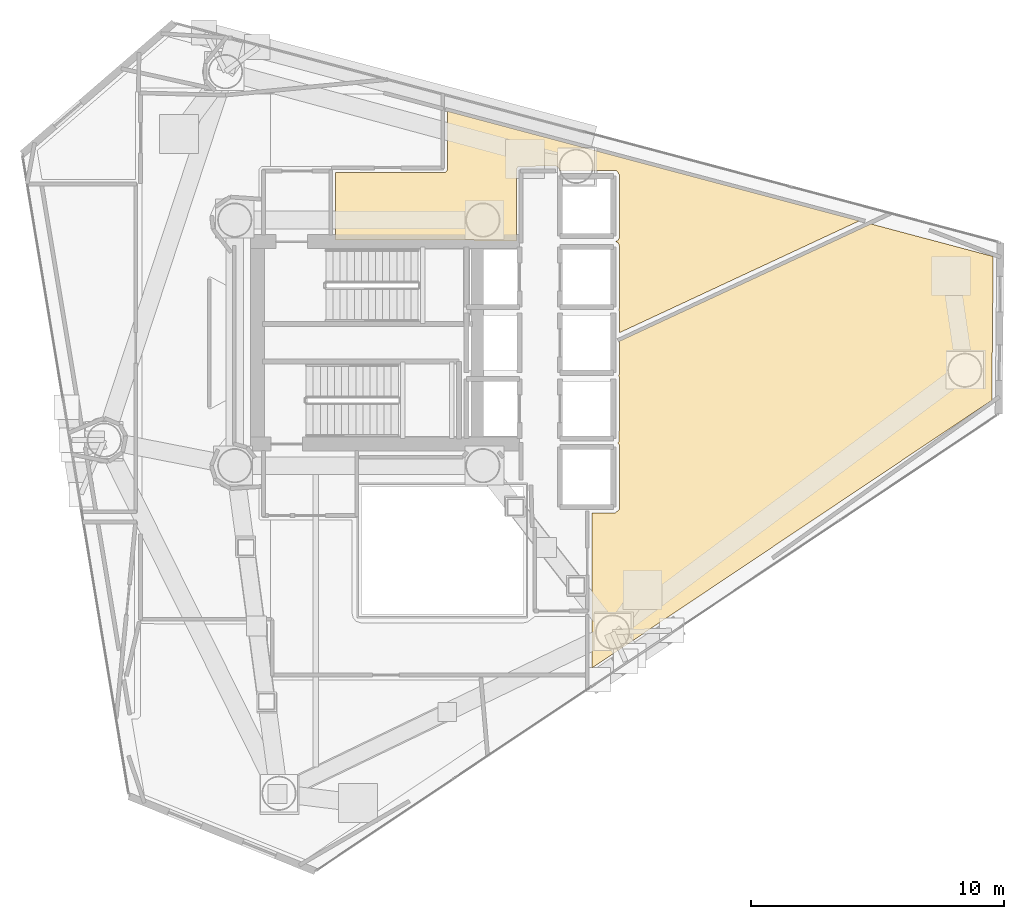
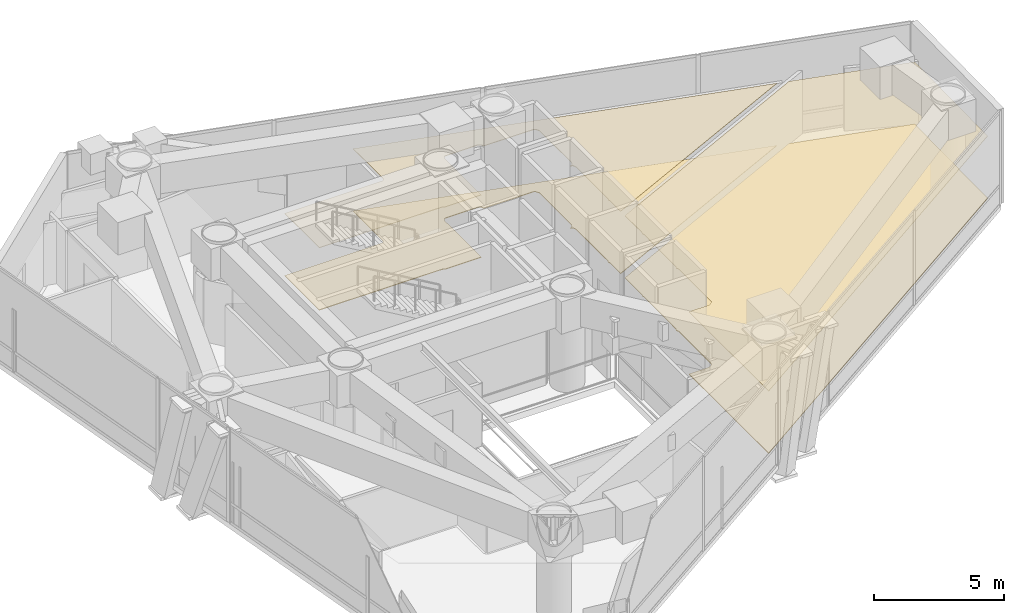
# One storey, part 22 of 22: 4 coverings.
"""IFC4 building model written with IfcOpenShell, lengths in metres."""

from ifc_helpers import new_model, si_unit, direction, frame, origin, place, context, subcontext, project, spatial, polyline, outline, extrude, material, layer, layer_set, type_object, element, save


model = new_model("IFC4")

# Units and contexts
model_context = context("Model", 3, precision=1e-05, world=origin(), true_north=direction((0.0, 1.0)))
body_context = subcontext(model_context, "Body", "Model", "MODEL_VIEW")
ifc_project = project(units=[si_unit("LENGTHUNIT", "METRE"), si_unit("AREAUNIT", "SQUARE_METRE"), si_unit("VOLUMEUNIT", "CUBIC_METRE"), si_unit("PLANEANGLEUNIT", "RADIAN"), si_unit("MASSUNIT", "GRAM", prefix="KILO")], contexts=[model_context])

# Site, building, storey
site_placement = place(None, origin())
site = spatial("IfcSite", under=ifc_project, at=site_placement, CompositionType="ELEMENT")
building_placement = place(site_placement, origin())
building = spatial("IfcBuilding", under=site, at=building_placement, Name="Qianvela Tower", CompositionType="ELEMENT")
storey_placement = place(building_placement, frame((0.0, 0.0, 184.60009765625)))
storey = spatial("IfcBuildingStorey", under=building, at=storey_placement, Name="L47", CompositionType="ELEMENT", Elevation=184.60009765625)

# Coverings
ifc_material_1 = material(Name="Perforated Mineral Acoustic Ceiling Tile")
ifc_layer_1 = layer(ifc_material_1, 0.02490234375)
ifc_layer_set_1 = layer_set([ifc_layer_1], Name="Perforated Mineral Acoustic Ceiling Tile")
covering_type_1 = type_object("IfcCoveringType", Name="COV-CEIL-ACOUSTIC-25", PredefinedType="CEILING", material=ifc_layer_set_1)
covering_1_placement = place(storey_placement, frame((0.0, 0.0, 2.914794921875)))
element("IfcCovering", 1, at=covering_1_placement, inside=storey, type_object=covering_type_1, Name="L47 Acoustic Ceiling L47 Electrical Transformer and Switch Room", PredefinedType="CEILING", context=body_context, shape_type="SweptSolid", body=[
    extrude(outline(polyline([(42.709228515625, 21.97998046875), (43.59375, 21.980712890625), (43.602294921875, 21.981201171875), (43.610595703125, 21.982421875), (43.618896484375, 21.984619140625), (43.626708984375, 21.98779296875), (43.63427734375, 21.99169921875), (43.641357421875, 21.996337890625), (43.757080078125, 22.082275390625), (43.763427734375, 22.08740234375), (43.769287109375, 22.09326171875), (43.7744140625, 22.099853515625), (43.77880859375, 22.106689453125), (43.782470703125, 22.114013671875), (43.785400390625, 22.121826171875), (43.78759765625, 22.1298828125), (43.788818359375, 22.137939453125), (43.789306640625, 22.146240234375), (43.79736328125, 24.627197265625), (43.797119140625, 24.63427734375), (43.7958984375, 24.6416015625), (43.79443359375, 24.6484375), (43.792236328125, 24.655517578125), (43.789306640625, 24.662109375), (43.785888671875, 24.66845703125), (43.7373046875, 24.749267578125), (43.732666015625, 24.75634765625), (43.731689453125, 24.757568359375), (43.74462890625, 24.765380859375), (43.75146484375, 24.77001953125), (43.7578125, 24.775146484375), (43.763427734375, 24.781005859375), (43.7685546875, 24.787353515625), (43.77294921875, 24.794189453125), (43.776611328125, 24.8017578125), (43.779541015625, 24.809326171875), (43.78173828125, 24.817138671875), (43.782958984375, 24.8251953125), (43.783447265625, 24.83349609375), (43.800048828125, 27.299560546875), (43.799560546875, 27.3076171875), (43.798583984375, 27.315673828125), (43.79638671875, 27.323486328125), (43.793701171875, 27.3310546875), (43.7646484375, 27.39990234375), (43.793701171875, 27.468994140625), (43.79638671875, 27.476318359375), (43.79833984375, 27.484130859375), (43.799560546875, 27.491943359375), (43.800048828125, 27.5), (43.800048828125, 28.772216796875), (53.71923828125, 33.397705078125), (58.55615234375, 32.109375), (58.49853515625, 26.42919921875), (42.7099609375, 15.862548828125), (42.709228515625, 21.97998046875)])), origin(), (0.0, 0.0, 1.0), 0.025146484375),
])
covering_2_placement = place(storey_placement, frame((0.0, 0.0, 2.914794921875)))
element("IfcCovering", 2, at=covering_2_placement, inside=storey, type_object=covering_type_1, Name="L47 Acoustic Ceiling L47 Hydronic Heat Exchanger and Fire Pump Room", PredefinedType="CEILING", context=body_context, shape_type="SweptSolid", body=[
    extrude(outline(polyline([(43.640380859375, 32.699951171875), (43.722412109375, 32.739013671875), (43.729248046875, 32.74267578125), (43.73583984375, 32.746826171875), (43.741943359375, 32.751953125), (43.74755859375, 32.757568359375), (43.75244140625, 32.763427734375), (43.7568359375, 32.77001953125), (43.760498046875, 32.777099609375), (43.763427734375, 32.7841796875), (43.79541015625, 32.873046875), (43.7978515625, 32.8818359375), (43.799560546875, 32.890869140625), (43.800048828125, 32.89990234375), (43.800048828125, 35.300048828125), (43.7998046875, 35.30712890625), (43.798583984375, 35.314208984375), (43.797119140625, 35.3212890625), (43.794921875, 35.328125), (43.7919921875, 35.334716796875), (43.78857421875, 35.341064453125), (43.714599609375, 35.464599609375), (43.7099609375, 35.471435546875), (43.704833984375, 35.477783203125), (43.698974609375, 35.4833984375), (43.6923828125, 35.488525390625), (43.685546875, 35.492919921875), (43.67822265625, 35.49658203125), (43.67041015625, 35.49951171875), (43.66259765625, 35.501708984375), (43.654541015625, 35.5029296875), (43.646240234375, 35.50341796875), (41.429931640625, 35.5107421875), (41.40625, 35.58740234375), (41.4033203125, 35.594970703125), (41.399658203125, 35.602294921875), (41.395263671875, 35.609375), (41.390380859375, 35.615966796875), (41.384521484375, 35.621826171875), (41.37841796875, 35.627197265625), (41.37158203125, 35.6318359375), (41.312255859375, 35.66796875), (41.305908203125, 35.67138671875), (41.299072265625, 35.67431640625), (41.2919921875, 35.6767578125), (41.284912109375, 35.67822265625), (41.277587890625, 35.67919921875), (41.27001953125, 35.6796875), (39.841796875, 35.670654296875), (39.83349609375, 35.670166015625), (39.825439453125, 35.668701171875), (39.817626953125, 35.66650390625), (39.809814453125, 35.663818359375), (39.802490234375, 35.659912109375), (39.795654296875, 35.655517578125), (39.789306640625, 35.650390625), (39.783447265625, 35.644775390625), (39.7783203125, 35.638427734375), (39.773681640625, 35.631591796875), (39.7314453125, 35.56103515625), (39.727294921875, 35.553466796875), (39.72412109375, 35.54541015625), (39.721923828125, 35.537109375), (39.720458984375, 35.528564453125), (39.719970703125, 35.52001953125), (39.719970703125, 32.719970703125), (38.125, 32.719970703125), (38.03369140625, 32.762451171875), (38.025634765625, 32.765625), (38.017333984375, 32.76806640625), (38.0087890625, 32.76953125), (38.0, 32.77001953125), (32.580078125, 32.77001953125), (32.580078125, 35.420654296875), (36.887939453125, 35.429443359375), (36.89599609375, 35.429931640625), (36.904296875, 35.43115234375), (36.912109375, 35.433349609375), (36.919921875, 35.436279296875), (36.92724609375, 35.43994140625), (36.93408203125, 35.4443359375), (36.940673828125, 35.449462890625), (36.946533203125, 35.455078125), (36.95166015625, 35.46142578125), (36.956298828125, 35.46826171875), (36.99853515625, 35.538818359375), (37.001953125, 35.545166015625), (37.0048828125, 35.5517578125), (37.007080078125, 35.55859375), (37.0087890625, 35.565673828125), (37.009765625, 35.57275390625), (37.010009765625, 35.580078125), (37.010009765625, 37.84765625), (53.267333984375, 33.51806640625), (43.800048828125, 29.103271484375), (43.800048828125, 29.89990234375), (43.799560546875, 29.907958984375), (43.79833984375, 29.915771484375), (43.79638671875, 29.923583984375), (43.793701171875, 29.93115234375), (43.7646484375, 30.0), (43.793701171875, 30.06884765625), (43.79638671875, 30.076416015625), (43.79833984375, 30.084228515625), (43.799560546875, 30.092041015625), (43.800048828125, 30.10009765625), (43.800048828125, 32.5), (43.799560546875, 32.509033203125), (43.7978515625, 32.518310546875), (43.79541015625, 32.527099609375), (43.763427734375, 32.61572265625), (43.760498046875, 32.623046875), (43.7568359375, 32.6298828125), (43.75244140625, 32.636474609375), (43.74755859375, 32.642578125), (43.741943359375, 32.648193359375), (43.73583984375, 32.653076171875), (43.729248046875, 32.657470703125), (43.722412109375, 32.6611328125), (43.640380859375, 32.699951171875)])), origin(), (0.0, 0.0, 1.0), 0.025146484375),
])
ifc_material_2 = material(Name="Honed Stone Terrazzo Flooring", Category="masonry")
ifc_layer_2 = layer(ifc_material_2, 0.030029296875)
ifc_layer_set_2 = layer_set([ifc_layer_2], Name="Honed Stone Terrazzo Flooring")
covering_type_2 = type_object("IfcCoveringType", Name="COV-FLOOR-TERRAZZO-30", PredefinedType="FLOORING", material=ifc_layer_set_2)
covering_3_placement = place(storey_placement, origin())
element("IfcCovering", 3, at=covering_3_placement, inside=storey, type_object=covering_type_2, Name="L47 Finish Flooring L47 Electrical Transformer and Switch Room", PredefinedType="FLOORING", context=body_context, shape_type="SweptSolid", body=[
    extrude(outline(polyline([(42.709228515625, 21.97998046875), (43.59375, 21.980712890625), (43.602294921875, 21.981201171875), (43.610595703125, 21.982421875), (43.618896484375, 21.984619140625), (43.626708984375, 21.98779296875), (43.63427734375, 21.99169921875), (43.641357421875, 21.996337890625), (43.757080078125, 22.082275390625), (43.763427734375, 22.08740234375), (43.769287109375, 22.09326171875), (43.7744140625, 22.099853515625), (43.77880859375, 22.106689453125), (43.782470703125, 22.114013671875), (43.785400390625, 22.121826171875), (43.78759765625, 22.1298828125), (43.788818359375, 22.137939453125), (43.789306640625, 22.146240234375), (43.79736328125, 24.627197265625), (43.797119140625, 24.63427734375), (43.7958984375, 24.6416015625), (43.79443359375, 24.6484375), (43.792236328125, 24.655517578125), (43.789306640625, 24.662109375), (43.785888671875, 24.66845703125), (43.7373046875, 24.749267578125), (43.732666015625, 24.75634765625), (43.731689453125, 24.757568359375), (43.74462890625, 24.765380859375), (43.75146484375, 24.77001953125), (43.7578125, 24.775146484375), (43.763427734375, 24.781005859375), (43.7685546875, 24.787353515625), (43.77294921875, 24.794189453125), (43.776611328125, 24.8017578125), (43.779541015625, 24.809326171875), (43.78173828125, 24.817138671875), (43.782958984375, 24.8251953125), (43.783447265625, 24.83349609375), (43.800048828125, 27.299560546875), (43.799560546875, 27.3076171875), (43.798583984375, 27.315673828125), (43.79638671875, 27.323486328125), (43.793701171875, 27.3310546875), (43.7646484375, 27.39990234375), (43.793701171875, 27.468994140625), (43.79638671875, 27.476318359375), (43.79833984375, 27.484130859375), (43.799560546875, 27.491943359375), (43.800048828125, 27.5), (43.800048828125, 28.772216796875), (53.71923828125, 33.397705078125), (58.55615234375, 32.109375), (58.49853515625, 26.42919921875), (42.7099609375, 15.862548828125), (42.709228515625, 21.97998046875)])), origin(), (0.0, 0.0, 1.0), 0.02978515625),
])
covering_4_placement = place(storey_placement, origin())
element("IfcCovering", 4, at=covering_4_placement, inside=storey, type_object=covering_type_2, Name="L47 Finish Flooring L47 Hydronic Heat Exchanger and Fire Pump Room", PredefinedType="FLOORING", context=body_context, shape_type="SweptSolid", body=[
    extrude(outline(polyline([(43.640380859375, 32.699951171875), (43.722412109375, 32.739013671875), (43.729248046875, 32.74267578125), (43.73583984375, 32.746826171875), (43.741943359375, 32.751953125), (43.74755859375, 32.757568359375), (43.75244140625, 32.763427734375), (43.7568359375, 32.77001953125), (43.760498046875, 32.777099609375), (43.763427734375, 32.7841796875), (43.79541015625, 32.873046875), (43.7978515625, 32.8818359375), (43.799560546875, 32.890869140625), (43.800048828125, 32.89990234375), (43.800048828125, 35.300048828125), (43.7998046875, 35.30712890625), (43.798583984375, 35.314208984375), (43.797119140625, 35.3212890625), (43.794921875, 35.328125), (43.7919921875, 35.334716796875), (43.78857421875, 35.341064453125), (43.714599609375, 35.464599609375), (43.7099609375, 35.471435546875), (43.704833984375, 35.477783203125), (43.698974609375, 35.4833984375), (43.6923828125, 35.488525390625), (43.685546875, 35.492919921875), (43.67822265625, 35.49658203125), (43.67041015625, 35.49951171875), (43.66259765625, 35.501708984375), (43.654541015625, 35.5029296875), (43.646240234375, 35.50341796875), (41.429931640625, 35.5107421875), (41.40625, 35.58740234375), (41.4033203125, 35.594970703125), (41.399658203125, 35.602294921875), (41.395263671875, 35.609375), (41.390380859375, 35.615966796875), (41.384521484375, 35.621826171875), (41.37841796875, 35.627197265625), (41.37158203125, 35.6318359375), (41.312255859375, 35.66796875), (41.305908203125, 35.67138671875), (41.299072265625, 35.67431640625), (41.2919921875, 35.6767578125), (41.284912109375, 35.67822265625), (41.277587890625, 35.67919921875), (41.27001953125, 35.6796875), (39.841796875, 35.670654296875), (39.83349609375, 35.670166015625), (39.825439453125, 35.668701171875), (39.817626953125, 35.66650390625), (39.809814453125, 35.663818359375), (39.802490234375, 35.659912109375), (39.795654296875, 35.655517578125), (39.789306640625, 35.650390625), (39.783447265625, 35.644775390625), (39.7783203125, 35.638427734375), (39.773681640625, 35.631591796875), (39.7314453125, 35.56103515625), (39.727294921875, 35.553466796875), (39.72412109375, 35.54541015625), (39.721923828125, 35.537109375), (39.720458984375, 35.528564453125), (39.719970703125, 35.52001953125), (39.719970703125, 32.719970703125), (38.125, 32.719970703125), (38.03369140625, 32.762451171875), (38.025634765625, 32.765625), (38.017333984375, 32.76806640625), (38.0087890625, 32.76953125), (38.0, 32.77001953125), (32.580078125, 32.77001953125), (32.580078125, 35.420654296875), (36.887939453125, 35.429443359375), (36.89599609375, 35.429931640625), (36.904296875, 35.43115234375), (36.912109375, 35.433349609375), (36.919921875, 35.436279296875), (36.92724609375, 35.43994140625), (36.93408203125, 35.4443359375), (36.940673828125, 35.449462890625), (36.946533203125, 35.455078125), (36.95166015625, 35.46142578125), (36.956298828125, 35.46826171875), (36.99853515625, 35.538818359375), (37.001953125, 35.545166015625), (37.0048828125, 35.5517578125), (37.007080078125, 35.55859375), (37.0087890625, 35.565673828125), (37.009765625, 35.57275390625), (37.010009765625, 35.580078125), (37.010009765625, 37.84765625), (53.267333984375, 33.51806640625), (43.800048828125, 29.103271484375), (43.800048828125, 29.89990234375), (43.799560546875, 29.907958984375), (43.79833984375, 29.915771484375), (43.79638671875, 29.923583984375), (43.793701171875, 29.93115234375), (43.7646484375, 30.0), (43.793701171875, 30.06884765625), (43.79638671875, 30.076416015625), (43.79833984375, 30.084228515625), (43.799560546875, 30.092041015625), (43.800048828125, 30.10009765625), (43.800048828125, 32.5), (43.799560546875, 32.509033203125), (43.7978515625, 32.518310546875), (43.79541015625, 32.527099609375), (43.763427734375, 32.61572265625), (43.760498046875, 32.623046875), (43.7568359375, 32.6298828125), (43.75244140625, 32.636474609375), (43.74755859375, 32.642578125), (43.741943359375, 32.648193359375), (43.73583984375, 32.653076171875), (43.729248046875, 32.657470703125), (43.722412109375, 32.6611328125), (43.640380859375, 32.699951171875)])), origin(), (0.0, 0.0, 1.0), 0.02978515625),
])

save(model, "model.ifc")
